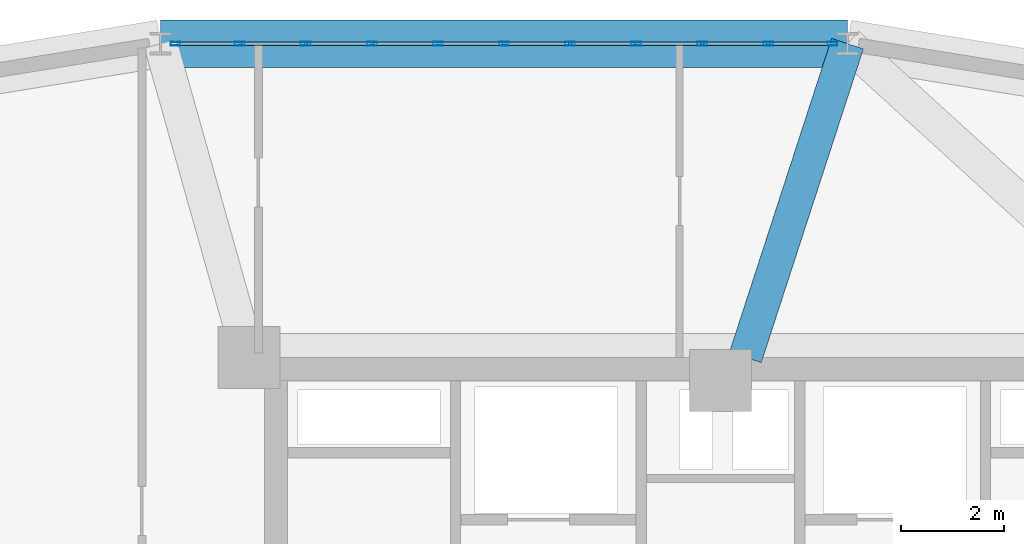
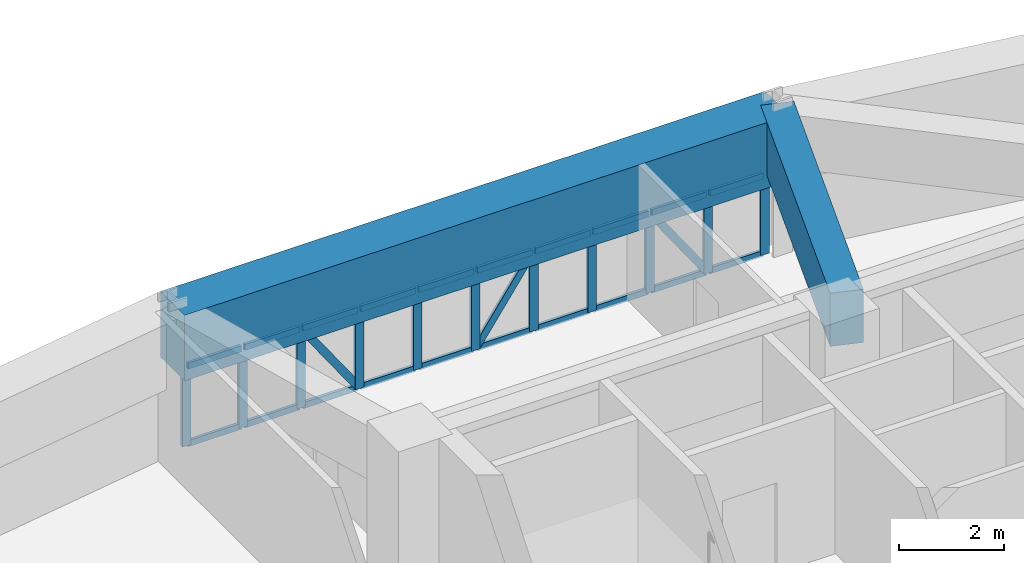
# One storey, part 10 of 16: 34 members, 2 beams, 1 element without a shape of its own.
"""IFC4 building model written with IfcOpenShell, lengths in metres."""

from ifc_helpers import new_model, si_unit, derived_unit, direction, frame, origin, origin_2d, place, context, subcontext, project, spatial, rectangle, hollow_rectangle, extrude, source, transform, mapped, material, layer, layer_set, material_profile, profile_set, type_object, element, aggregate, save


model = new_model("IFC4")

# Units and contexts
model_context = context("Model", 3, precision=1e-05, world=origin(), true_north=direction((0.0, 1.0)))
body_context = subcontext(model_context, "Body", "Model", "MODEL_VIEW")
ifc_project = project(units=[si_unit("LENGTHUNIT", "METRE"), si_unit("AREAUNIT", "SQUARE_METRE"), si_unit("VOLUMEUNIT", "CUBIC_METRE"), si_unit("PLANEANGLEUNIT", "RADIAN"), si_unit("MASSUNIT", "GRAM", prefix="KILO"), derived_unit("THERMALTRANSMITTANCEUNIT", [(si_unit("POWERUNIT", "WATT"), 1), (si_unit("LENGTHUNIT", "METRE"), -2), (si_unit("THERMODYNAMICTEMPERATUREUNIT", "KELVIN"), -1)])], contexts=[model_context])

# Site, building, storey
site_placement = place(None, origin())
site = spatial("IfcSite", under=ifc_project, at=site_placement, CompositionType="ELEMENT")
building_placement = place(site_placement, origin())
building = spatial("IfcBuilding", under=site, at=building_placement, Name="Korsvarv Bourse and Concert Hall", CompositionType="ELEMENT")
storey_placement = place(building_placement, frame((0.0, 0.0, 143.39990234375)))
storey = spatial("IfcBuildingStorey", under=building, at=storey_placement, Name="L36", CompositionType="ELEMENT", Elevation=143.39990234375)

# Beams
ifc_material_1 = material(Name="Concrete C50/60", Category="concrete")
ifc_material_profile_1 = material_profile(ifc_material_1, rectangle(XDim=0.919921875, YDim=1.530029296875, at=origin_2d()), Name="RC-BM 920x1530")
ifc_profile_set_1 = profile_set([ifc_material_profile_1], Name="Concrete C50/60")
beam_type_1 = type_object("IfcBeamType", Name="BM-TR-154", PredefinedType="BEAM", material=ifc_profile_set_1)
shared_shape_1 = source(origin(), body_context, "Body", "SweptSolid", [
    extrude(rectangle(XDim=0.919921875, YDim=1.530029296875, at=origin_2d()), origin(), (0.0, 0.0, 1.0), 13.327392578125),
])
beam_1_placement = place(storey_placement, frame((38.463623046875, 53.3369140625, 2.635009765625), z_axis=(-1.0, 0.0, 0.0), x_axis=(0.0, -1.0, 0.0)))
element("IfcBeam", 1, at=beam_1_placement, inside=storey, type_object=beam_type_1, Name="L36 beam B-TR6", PredefinedType="BEAM", context=body_context, shape_type="MappedRepresentation", body=[
    mapped(shared_shape_1, transform((0.0, 0.0, 0.0), scale=1.0)),
])
ifc_material_profile_2 = material_profile(ifc_material_1, rectangle(XDim=0.64990234375, YDim=1.239990234375, at=origin_2d()), Name="RC-BM 650x1240")
ifc_profile_set_2 = profile_set([ifc_material_profile_2], Name="Concrete C50/60")
beam_type_2 = type_object("IfcBeamType", Name="BM-TR-SPN", PredefinedType="BEAM", material=ifc_profile_set_2)
shared_shape_2 = source(origin(), body_context, "Body", "SweptSolid", [
    extrude(rectangle(XDim=0.64990234375, YDim=1.239990234375, at=origin_2d()), origin(), (0.0, 0.0, 1.0), 6.401123046875),
])
beam_2_placement = place(storey_placement, frame((38.463623046875, 53.3369140625, 2.780029296875), z_axis=(-0.309503444527, -0.950898321497, 0.0), x_axis=(0.950898321497, -0.309503444527, 0.0)))
element("IfcBeam", 2, at=beam_2_placement, inside=storey, type_object=beam_type_2, Name="L36 beam B-TRS", PredefinedType="BEAM", context=body_context, shape_type="MappedRepresentation", body=[
    mapped(shared_shape_2, transform((0.0, 0.0, 0.0), scale=1.0)),
])

# Curtain wall, members
ifc_material_2 = material(Name="Anodised aluminium and triple low-E glazing", Category="glass")
ifc_layer = layer(ifc_material_2, 0.2099609375)
ifc_layer_set = layer_set([ifc_layer], Name="Anodised aluminium and triple low-E glazing")
curtain_wall_type = type_object("IfcCurtainWallType", Name="CW-SYS-2", PredefinedType="NOTDEFINED", material=ifc_layer_set)
curtain_wall_placement = place(storey_placement, origin())
curtain_wall = element("IfcCurtainWall", 3, at=curtain_wall_placement, inside=storey, type_object=curtain_wall_type, Name="L36 CW2 curtain wall CW-L36-F03", PredefinedType="NOTDEFINED")
ifc_material_3 = material(Name="Extruded aluminium EN AW-6063 T66", Category="aluminium")
ifc_material_profile_3 = material_profile(ifc_material_3, hollow_rectangle(XDim=0.070068359375, YDim=0.18994140625, WallThickness=0.0048828125, at=origin_2d()), Name="ALU-M 70x190")
ifc_profile_set_3 = profile_set([ifc_material_profile_3], Name="Extruded aluminium EN AW-6063 T66")
member_type_1 = type_object("IfcMemberType", Name="CWM-190", PredefinedType="MULLION", material=ifc_profile_set_3)
shared_shape_3 = source(origin(), body_context, "Body", "SweptSolid", [
    extrude(hollow_rectangle(XDim=0.070068359375, YDim=0.18994140625, WallThickness=0.0048828125, at=origin_2d()), origin(), (0.0, 0.0, 1.0), 1.8701171875),
])
member_1_placement = place(storey_placement, frame((38.172607421875, 53.3369140625, 0.0), z_axis=(0.0, 0.0, 1.0), x_axis=(0.0, -1.0, 0.0)))
member_1 = element("IfcMember", 4, at=member_1_placement, type_object=member_type_1, Name="CW2 mullion 1", PredefinedType="MULLION", context=body_context, shape_type="MappedRepresentation", body=[
    mapped(shared_shape_3, transform((0.0, 0.0, 0.0), scale=1.0)),
])
member_2_placement = place(storey_placement, frame((36.92626953125, 53.3369140625, 0.0), z_axis=(0.0, 0.0, 1.0), x_axis=(0.0, -1.0, 0.0)))
member_2 = element("IfcMember", 5, at=member_2_placement, type_object=member_type_1, Name="CW2 mullion 2", PredefinedType="MULLION", context=body_context, shape_type="MappedRepresentation", body=[
    mapped(shared_shape_3, transform((0.0, 0.0, 0.0), scale=1.0)),
])
member_3_placement = place(storey_placement, frame((35.64453125, 53.3369140625, 0.0), z_axis=(0.0, 0.0, 1.0), x_axis=(0.0, -1.0, 0.0)))
member_3 = element("IfcMember", 6, at=member_3_placement, type_object=member_type_1, Name="CW2 mullion 3", PredefinedType="MULLION", context=body_context, shape_type="MappedRepresentation", body=[
    mapped(shared_shape_3, transform((0.0, 0.0, 0.0), scale=1.0)),
])
member_4_placement = place(storey_placement, frame((34.363037109375, 53.3369140625, 0.0), z_axis=(0.0, 0.0, 1.0), x_axis=(0.0, -1.0, 0.0)))
member_4 = element("IfcMember", 7, at=member_4_placement, type_object=member_type_1, Name="CW2 mullion 4", PredefinedType="MULLION", context=body_context, shape_type="MappedRepresentation", body=[
    mapped(shared_shape_3, transform((0.0, 0.0, 0.0), scale=1.0)),
])
member_5_placement = place(storey_placement, frame((33.08154296875, 53.3369140625, 0.0), z_axis=(0.0, 0.0, 1.0), x_axis=(0.0, -1.0, 0.0)))
member_5 = element("IfcMember", 8, at=member_5_placement, type_object=member_type_1, Name="CW2 mullion 5", PredefinedType="MULLION", context=body_context, shape_type="MappedRepresentation", body=[
    mapped(shared_shape_3, transform((0.0, 0.0, 0.0), scale=1.0)),
])
member_6_placement = place(storey_placement, frame((31.800048828125, 53.3369140625, 0.0), z_axis=(0.0, 0.0, 1.0), x_axis=(0.0, -1.0, 0.0)))
member_6 = element("IfcMember", 9, at=member_6_placement, type_object=member_type_1, Name="CW2 mullion 6", PredefinedType="MULLION", context=body_context, shape_type="MappedRepresentation", body=[
    mapped(shared_shape_3, transform((0.0, 0.0, 0.0), scale=1.0)),
])
member_7_placement = place(storey_placement, frame((30.5185546875, 53.3369140625, 0.0), z_axis=(0.0, 0.0, 1.0), x_axis=(0.0, -1.0, 0.0)))
member_7 = element("IfcMember", 10, at=member_7_placement, type_object=member_type_1, Name="CW2 mullion 7", PredefinedType="MULLION", context=body_context, shape_type="MappedRepresentation", body=[
    mapped(shared_shape_3, transform((0.0, 0.0, 0.0), scale=1.0)),
])
member_8_placement = place(storey_placement, frame((29.23681640625, 53.3369140625, 0.0), z_axis=(0.0, 0.0, 1.0), x_axis=(0.0, -1.0, 0.0)))
member_8 = element("IfcMember", 11, at=member_8_placement, type_object=member_type_1, Name="CW2 mullion 8", PredefinedType="MULLION", context=body_context, shape_type="MappedRepresentation", body=[
    mapped(shared_shape_3, transform((0.0, 0.0, 0.0), scale=1.0)),
])
member_9_placement = place(storey_placement, frame((27.955322265625, 53.3369140625, 0.0), z_axis=(0.0, 0.0, 1.0), x_axis=(0.0, -1.0, 0.0)))
member_9 = element("IfcMember", 12, at=member_9_placement, type_object=member_type_1, Name="CW2 mullion 9", PredefinedType="MULLION", context=body_context, shape_type="MappedRepresentation", body=[
    mapped(shared_shape_3, transform((0.0, 0.0, 0.0), scale=1.0)),
])
member_10_placement = place(storey_placement, frame((26.673828125, 53.3369140625, 0.0), z_axis=(0.0, 0.0, 1.0), x_axis=(0.0, -1.0, 0.0)))
member_10 = element("IfcMember", 13, at=member_10_placement, type_object=member_type_1, Name="CW2 mullion 10", PredefinedType="MULLION", context=body_context, shape_type="MappedRepresentation", body=[
    mapped(shared_shape_3, transform((0.0, 0.0, 0.0), scale=1.0)),
])
member_11_placement = place(storey_placement, frame((25.42724609375, 53.3369140625, 0.0), z_axis=(0.0, 0.0, 1.0), x_axis=(0.0, -1.0, 0.0)))
member_11 = element("IfcMember", 14, at=member_11_placement, type_object=member_type_1, Name="CW2 mullion 11", PredefinedType="MULLION", context=body_context, shape_type="MappedRepresentation", body=[
    mapped(shared_shape_3, transform((0.0, 0.0, 0.0), scale=1.0)),
])
ifc_material_profile_4 = material_profile(ifc_material_3, hollow_rectangle(XDim=0.06494140625, YDim=0.139892578125, WallThickness=0.00390625, at=origin_2d()), Name="ALU-T 65x140")
ifc_profile_set_4 = profile_set([ifc_material_profile_4], Name="Extruded aluminium EN AW-6063 T66")
member_type_2 = type_object("IfcMemberType", Name="CWT-140", PredefinedType="USERDEFINED", material=ifc_profile_set_4)
shared_shape_4 = source(origin(), body_context, "Body", "SweptSolid", [
    extrude(hollow_rectangle(XDim=0.06494140625, YDim=0.139892578125, WallThickness=0.00390625, at=origin_2d()), origin(), (0.0, 0.0, 1.0), 1.176513671875),
])
member_12_placement = place(storey_placement, frame((38.1376953125, 53.3369140625, 0.03271484375), z_axis=(-1.0, 0.0, 0.0), x_axis=(0.0, -1.0, 0.0)))
member_12 = element("IfcMember", 15, at=member_12_placement, type_object=member_type_2, Name="CW2 transom 1.1", ObjectType="TRANSOM", PredefinedType="USERDEFINED", context=body_context, shape_type="MappedRepresentation", body=[
    mapped(shared_shape_4, transform((0.0, 0.0, 0.0), scale=1.0)),
])
member_13_placement = place(storey_placement, frame((38.1376953125, 53.3369140625, 1.837646484375), z_axis=(-1.0, 0.0, 0.0), x_axis=(0.0, -1.0, 0.0)))
member_13 = element("IfcMember", 16, at=member_13_placement, type_object=member_type_2, Name="CW2 transom 1.2", ObjectType="TRANSOM", PredefinedType="USERDEFINED", context=body_context, shape_type="MappedRepresentation", body=[
    mapped(shared_shape_4, transform((0.0, 0.0, 0.0), scale=1.0)),
])
member_14_placement = place(storey_placement, frame((26.638916015625, 53.3369140625, 0.03271484375), z_axis=(-1.0, 0.0, 0.0), x_axis=(0.0, -1.0, 0.0)))
member_14 = element("IfcMember", 17, at=member_14_placement, type_object=member_type_2, Name="CW2 transom 10.1", ObjectType="TRANSOM", PredefinedType="USERDEFINED", context=body_context, shape_type="MappedRepresentation", body=[
    mapped(shared_shape_4, transform((0.0, 0.0, 0.0), scale=1.0)),
])
member_15_placement = place(storey_placement, frame((26.638916015625, 53.3369140625, 1.837646484375), z_axis=(-1.0, 0.0, 0.0), x_axis=(0.0, -1.0, 0.0)))
member_15 = element("IfcMember", 18, at=member_15_placement, type_object=member_type_2, Name="CW2 transom 10.2", ObjectType="TRANSOM", PredefinedType="USERDEFINED", context=body_context, shape_type="MappedRepresentation", body=[
    mapped(shared_shape_4, transform((0.0, 0.0, 0.0), scale=1.0)),
])
shared_shape_5 = source(origin(), body_context, "Body", "SweptSolid", [
    extrude(hollow_rectangle(XDim=0.06494140625, YDim=0.139892578125, WallThickness=0.00390625, at=origin_2d()), origin(), (0.0, 0.0, 1.0), 1.21142578125),
])
member_16_placement = place(storey_placement, frame((36.89111328125, 53.3369140625, 0.03271484375), z_axis=(-1.0, 0.0, 0.0), x_axis=(0.0, -1.0, 0.0)))
member_16 = element("IfcMember", 19, at=member_16_placement, type_object=member_type_2, Name="CW2 transom 2.1", ObjectType="TRANSOM", PredefinedType="USERDEFINED", context=body_context, shape_type="MappedRepresentation", body=[
    mapped(shared_shape_5, transform((0.0, 0.0, 0.0), scale=1.0)),
])
member_17_placement = place(storey_placement, frame((36.89111328125, 53.3369140625, 1.837646484375), z_axis=(-1.0, 0.0, 0.0), x_axis=(0.0, -1.0, 0.0)))
member_17 = element("IfcMember", 20, at=member_17_placement, type_object=member_type_2, Name="CW2 transom 2.2", ObjectType="TRANSOM", PredefinedType="USERDEFINED", context=body_context, shape_type="MappedRepresentation", body=[
    mapped(shared_shape_5, transform((0.0, 0.0, 0.0), scale=1.0)),
])
member_18_placement = place(storey_placement, frame((35.609619140625, 53.3369140625, 0.03271484375), z_axis=(-1.0, 0.0, 0.0), x_axis=(0.0, -1.0, 0.0)))
member_18 = element("IfcMember", 21, at=member_18_placement, type_object=member_type_2, Name="CW2 transom 3.1", ObjectType="TRANSOM", PredefinedType="USERDEFINED", context=body_context, shape_type="MappedRepresentation", body=[
    mapped(shared_shape_5, transform((0.0, 0.0, 0.0), scale=1.0)),
])
member_19_placement = place(storey_placement, frame((35.609619140625, 53.3369140625, 1.837646484375), z_axis=(-1.0, 0.0, 0.0), x_axis=(0.0, -1.0, 0.0)))
member_19 = element("IfcMember", 22, at=member_19_placement, type_object=member_type_2, Name="CW2 transom 3.2", ObjectType="TRANSOM", PredefinedType="USERDEFINED", context=body_context, shape_type="MappedRepresentation", body=[
    mapped(shared_shape_5, transform((0.0, 0.0, 0.0), scale=1.0)),
])
member_20_placement = place(storey_placement, frame((31.764892578125, 53.3369140625, 0.03271484375), z_axis=(-1.0, 0.0, 0.0), x_axis=(0.0, -1.0, 0.0)))
member_20 = element("IfcMember", 23, at=member_20_placement, type_object=member_type_2, Name="CW2 transom 6.1", ObjectType="TRANSOM", PredefinedType="USERDEFINED", context=body_context, shape_type="MappedRepresentation", body=[
    mapped(shared_shape_5, transform((0.0, 0.0, 0.0), scale=1.0)),
])
member_21_placement = place(storey_placement, frame((31.764892578125, 53.3369140625, 1.837646484375), z_axis=(-1.0, 0.0, 0.0), x_axis=(0.0, -1.0, 0.0)))
member_21 = element("IfcMember", 24, at=member_21_placement, type_object=member_type_2, Name="CW2 transom 6.2", ObjectType="TRANSOM", PredefinedType="USERDEFINED", context=body_context, shape_type="MappedRepresentation", body=[
    mapped(shared_shape_5, transform((0.0, 0.0, 0.0), scale=1.0)),
])
member_22_placement = place(storey_placement, frame((30.4833984375, 53.3369140625, 0.03271484375), z_axis=(-1.0, 0.0, 0.0), x_axis=(0.0, -1.0, 0.0)))
member_22 = element("IfcMember", 25, at=member_22_placement, type_object=member_type_2, Name="CW2 transom 7.1", ObjectType="TRANSOM", PredefinedType="USERDEFINED", context=body_context, shape_type="MappedRepresentation", body=[
    mapped(shared_shape_5, transform((0.0, 0.0, 0.0), scale=1.0)),
])
member_23_placement = place(storey_placement, frame((30.4833984375, 53.3369140625, 1.837646484375), z_axis=(-1.0, 0.0, 0.0), x_axis=(0.0, -1.0, 0.0)))
member_23 = element("IfcMember", 26, at=member_23_placement, type_object=member_type_2, Name="CW2 transom 7.2", ObjectType="TRANSOM", PredefinedType="USERDEFINED", context=body_context, shape_type="MappedRepresentation", body=[
    mapped(shared_shape_5, transform((0.0, 0.0, 0.0), scale=1.0)),
])
member_24_placement = place(storey_placement, frame((29.201904296875, 53.3369140625, 0.03271484375), z_axis=(-1.0, 0.0, 0.0), x_axis=(0.0, -1.0, 0.0)))
member_24 = element("IfcMember", 27, at=member_24_placement, type_object=member_type_2, Name="CW2 transom 8.1", ObjectType="TRANSOM", PredefinedType="USERDEFINED", context=body_context, shape_type="MappedRepresentation", body=[
    mapped(shared_shape_5, transform((0.0, 0.0, 0.0), scale=1.0)),
])
member_25_placement = place(storey_placement, frame((29.201904296875, 53.3369140625, 1.837646484375), z_axis=(-1.0, 0.0, 0.0), x_axis=(0.0, -1.0, 0.0)))
member_25 = element("IfcMember", 28, at=member_25_placement, type_object=member_type_2, Name="CW2 transom 8.2", ObjectType="TRANSOM", PredefinedType="USERDEFINED", context=body_context, shape_type="MappedRepresentation", body=[
    mapped(shared_shape_5, transform((0.0, 0.0, 0.0), scale=1.0)),
])
ifc_material_profile_5 = material_profile(ifc_material_3, hollow_rectangle(XDim=0.06494140625, YDim=0.1650390625, WallThickness=0.0048828125, at=origin_2d()), Name="ALU-M 65x165")
ifc_profile_set_5 = profile_set([ifc_material_profile_5], Name="Extruded aluminium EN AW-6063 T66")
member_type_3 = type_object("IfcMemberType", Name="CWM-165", PredefinedType="MULLION", material=ifc_profile_set_5)
shared_shape_6 = source(origin(), body_context, "Body", "SweptSolid", [
    extrude(hollow_rectangle(XDim=0.06494140625, YDim=0.1650390625, WallThickness=0.0048828125, at=origin_2d()), origin(), (0.0, 0.0, 1.0), 2.1201171875),
])
member_26_placement = place(storey_placement, frame((36.89111328125, 53.3369140625, 0.065185546875), z_axis=(-0.571381588863, 0.0, 0.820684519111), x_axis=(0.0, -1.0, 0.0)))
member_26 = element("IfcMember", 29, at=member_26_placement, type_object=member_type_3, Name="CW2 diagonal mullion 2", PredefinedType="MULLION", context=body_context, shape_type="MappedRepresentation", body=[
    mapped(shared_shape_6, transform((0.0, 0.0, 0.0), scale=1.0)),
])
member_27_placement = place(storey_placement, frame((29.201904296875, 53.3369140625, 0.065185546875), z_axis=(-0.571381588863, 0.0, 0.820684519111), x_axis=(0.0, -1.0, 0.0)))
member_27 = element("IfcMember", 30, at=member_27_placement, type_object=member_type_3, Name="CW2 diagonal mullion 8", PredefinedType="MULLION", context=body_context, shape_type="MappedRepresentation", body=[
    mapped(shared_shape_6, transform((0.0, 0.0, 0.0), scale=1.0)),
])
shared_shape_7 = source(origin(), body_context, "Body", "SweptSolid", [
    extrude(hollow_rectangle(XDim=0.06494140625, YDim=0.139892578125, WallThickness=0.00390625, at=origin_2d()), origin(), (0.0, 0.0, 1.0), 1.211669921875),
])
member_28_placement = place(storey_placement, frame((34.328125, 53.3369140625, 0.03271484375), z_axis=(-1.0, 0.0, 0.0), x_axis=(0.0, -1.0, 0.0)))
member_28 = element("IfcMember", 31, at=member_28_placement, type_object=member_type_2, Name="CW2 transom 4.1", ObjectType="TRANSOM", PredefinedType="USERDEFINED", context=body_context, shape_type="MappedRepresentation", body=[
    mapped(shared_shape_7, transform((0.0, 0.0, 0.0), scale=1.0)),
])
member_29_placement = place(storey_placement, frame((34.328125, 53.3369140625, 1.837646484375), z_axis=(-1.0, 0.0, 0.0), x_axis=(0.0, -1.0, 0.0)))
member_29 = element("IfcMember", 32, at=member_29_placement, type_object=member_type_2, Name="CW2 transom 4.2", ObjectType="TRANSOM", PredefinedType="USERDEFINED", context=body_context, shape_type="MappedRepresentation", body=[
    mapped(shared_shape_7, transform((0.0, 0.0, 0.0), scale=1.0)),
])
member_30_placement = place(storey_placement, frame((33.046630859375, 53.3369140625, 0.03271484375), z_axis=(-1.0, 0.0, 0.0), x_axis=(0.0, -1.0, 0.0)))
member_30 = element("IfcMember", 33, at=member_30_placement, type_object=member_type_2, Name="CW2 transom 5.1", ObjectType="TRANSOM", PredefinedType="USERDEFINED", context=body_context, shape_type="MappedRepresentation", body=[
    mapped(shared_shape_7, transform((0.0, 0.0, 0.0), scale=1.0)),
])
member_31_placement = place(storey_placement, frame((33.046630859375, 53.3369140625, 1.837646484375), z_axis=(-1.0, 0.0, 0.0), x_axis=(0.0, -1.0, 0.0)))
member_31 = element("IfcMember", 34, at=member_31_placement, type_object=member_type_2, Name="CW2 transom 5.2", ObjectType="TRANSOM", PredefinedType="USERDEFINED", context=body_context, shape_type="MappedRepresentation", body=[
    mapped(shared_shape_7, transform((0.0, 0.0, 0.0), scale=1.0)),
])
member_32_placement = place(storey_placement, frame((27.92041015625, 53.3369140625, 0.03271484375), z_axis=(-1.0, 0.0, 0.0), x_axis=(0.0, -1.0, 0.0)))
member_32 = element("IfcMember", 35, at=member_32_placement, type_object=member_type_2, Name="CW2 transom 9.1", ObjectType="TRANSOM", PredefinedType="USERDEFINED", context=body_context, shape_type="MappedRepresentation", body=[
    mapped(shared_shape_7, transform((0.0, 0.0, 0.0), scale=1.0)),
])
member_33_placement = place(storey_placement, frame((27.92041015625, 53.3369140625, 1.837646484375), z_axis=(-1.0, 0.0, 0.0), x_axis=(0.0, -1.0, 0.0)))
member_33 = element("IfcMember", 36, at=member_33_placement, type_object=member_type_2, Name="CW2 transom 9.2", ObjectType="TRANSOM", PredefinedType="USERDEFINED", context=body_context, shape_type="MappedRepresentation", body=[
    mapped(shared_shape_7, transform((0.0, 0.0, 0.0), scale=1.0)),
])
shared_shape_8 = source(origin(), body_context, "Body", "SweptSolid", [
    extrude(hollow_rectangle(XDim=0.06494140625, YDim=0.1650390625, WallThickness=0.0048828125, at=origin_2d()), origin(), (0.0, 0.0, 1.0), 2.120361328125),
])
member_34_placement = place(storey_placement, frame((31.8349609375, 53.3369140625, 0.065185546875), z_axis=(0.571459138381, 0.0, 0.820630521709), x_axis=(0.0, 1.0, 0.0)))
member_34 = element("IfcMember", 37, at=member_34_placement, type_object=member_type_3, Name="CW2 diagonal mullion 5", PredefinedType="MULLION", context=body_context, shape_type="MappedRepresentation", body=[
    mapped(shared_shape_8, transform((0.0, 0.0, 0.0), scale=1.0)),
])
aggregate(curtain_wall, [member_1, member_2, member_3, member_4, member_5, member_6, member_7, member_8, member_9, member_10, member_11, member_12, member_13, member_16, member_17, member_26, member_18, member_19, member_28, member_29, member_30, member_31, member_34, member_20, member_21, member_22, member_23, member_24, member_25, member_27, member_32, member_33, member_14, member_15])

save(model, "model.ifc")
